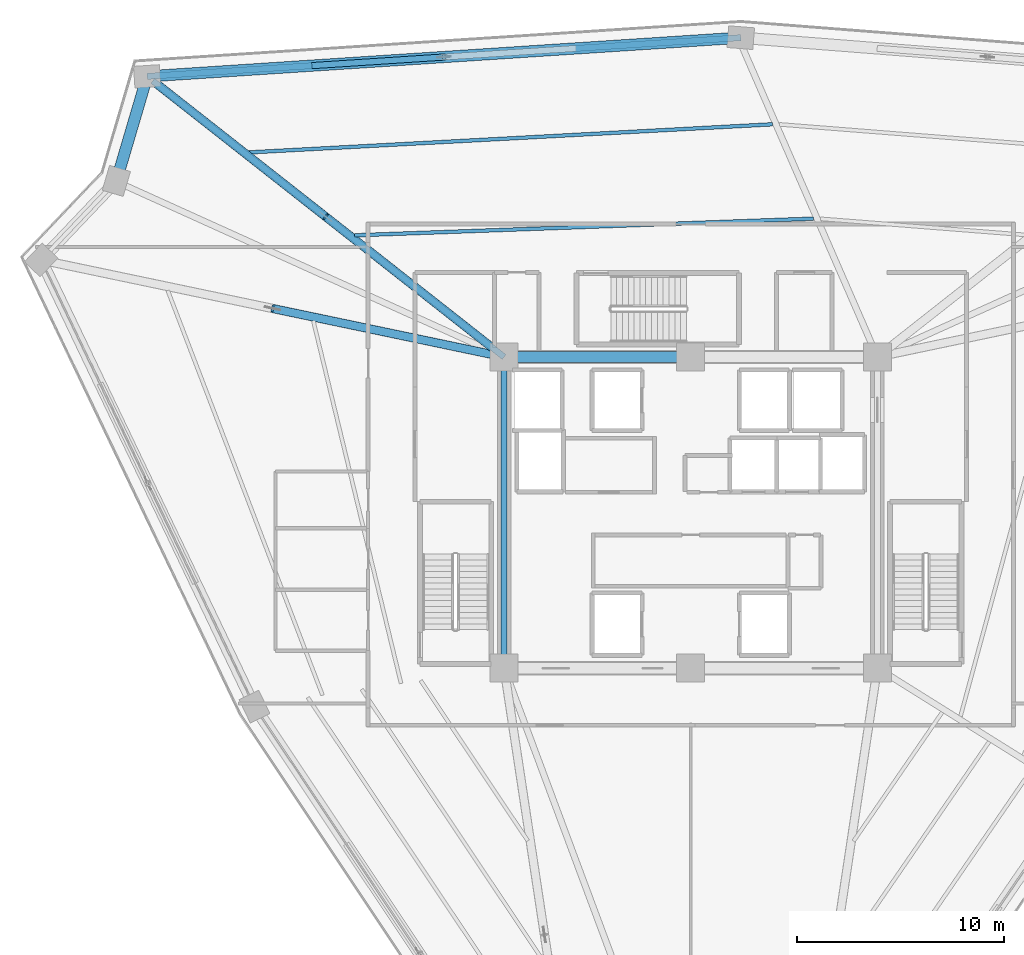
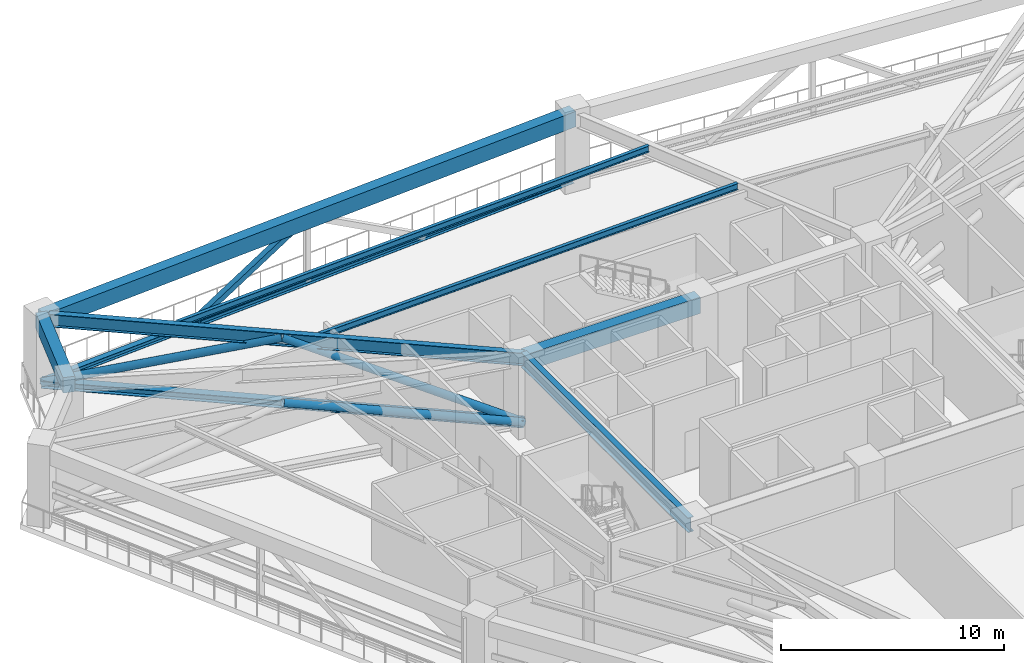
# One storey, part 6 of 22: 7 beams, 6 members.
"""IFC4 building model written with IfcOpenShell, lengths in metres."""

from ifc_helpers import new_model, si_unit, direction, frame, origin, origin_2d, place, context, subcontext, project, spatial, rectangle, hollow_rectangle, hollow_circle, i_section, extrude, source, transform, mapped, material, material_profile, profile_set, type_object, element, save


model = new_model("IFC4")

# Units and contexts
model_context = context("Model", 3, precision=1e-05, world=origin(), true_north=direction((0.0, 1.0)))
body_context = subcontext(model_context, "Body", "Model", "MODEL_VIEW")
ifc_project = project(units=[si_unit("LENGTHUNIT", "METRE"), si_unit("AREAUNIT", "SQUARE_METRE"), si_unit("VOLUMEUNIT", "CUBIC_METRE"), si_unit("PLANEANGLEUNIT", "RADIAN"), si_unit("MASSUNIT", "GRAM", prefix="KILO")], contexts=[model_context])

# Site, building, storey
site_placement = place(None, origin())
site = spatial("IfcSite", under=ifc_project, at=site_placement, CompositionType="ELEMENT")
building_placement = place(site_placement, origin())
building = spatial("IfcBuilding", under=site, at=building_placement, Name="Liaohun Quay Tower", CompositionType="ELEMENT")
storey_placement = place(building_placement, frame((0.0, 0.0, 277.5)))
storey = spatial("IfcBuildingStorey", under=building, at=storey_placement, Name="L72", CompositionType="ELEMENT", Elevation=277.5)

# Beams
ifc_material_1 = material(Name="Steel Q355D", Category="steel")
ifc_material_profile_1 = material_profile(ifc_material_1, i_section(OverallWidth=0.300048828125, OverallDepth=0.800048828125, WebThickness=0.013916015625, FlangeThickness=0.02587890625, at=origin_2d()), Name="HN800x300x14x26")
ifc_profile_set_1 = profile_set([ifc_material_profile_1], Name="Steel Q355D")
beam_type_1 = type_object("IfcBeamType", Name="BM-RAD-M1", PredefinedType="BEAM", material=ifc_profile_set_1)
shared_shape_1 = source(origin(), body_context, "Body", "SweptSolid", [
    extrude(i_section(OverallWidth=0.300048828125, OverallDepth=0.800048828125, WebThickness=0.013916015625, FlangeThickness=0.02587890625, at=origin_2d()), origin(), (0.0, 0.0, 1.0), 15.0),
])
beam_1_placement = place(storey_placement, frame((51.0, 61.5, 3.820068359375), z_axis=(0.0, -1.0, 0.0), x_axis=(1.0, 0.0, 0.0)))
element("IfcBeam", 1, at=beam_1_placement, inside=storey, type_object=beam_type_1, Name="L72 Core Coupling/Ring Beam CC6-CC1", PredefinedType="BEAM", context=body_context, shape_type="MappedRepresentation", body=[
    mapped(shared_shape_1, transform((0.0, 0.0, 0.0), x_axis=(1.0, 0.0, 0.0), y_axis=(0.0, 1.0, 0.0), z_axis=(0.0, 0.0, 1.0), scale=1.0)),
])
ifc_material_2 = material(Name="Concrete C55", Category="concrete")
ifc_material_profile_2 = material_profile(ifc_material_2, rectangle(XDim=0.550048828125, YDim=0.89990234375, at=origin_2d()), Name="RC550x900")
ifc_profile_set_2 = profile_set([ifc_material_profile_2], Name="Concrete C55")
beam_type_2 = type_object("IfcBeamType", Name="BM-CPL-2", PredefinedType="LINTEL", material=ifc_profile_set_2)
shared_shape_2 = source(origin(), body_context, "Body", "SweptSolid", [
    extrude(rectangle(XDim=0.550048828125, YDim=0.89990234375, at=origin_2d()), origin(), (0.0, 0.0, 1.0), 9.0),
])
beam_2_placement = place(storey_placement, frame((60.0, 61.5, 3.77001953125), z_axis=(-1.0, 0.0, 0.0), x_axis=(0.0, -1.0, 0.0)))
element("IfcBeam", 2, at=beam_2_placement, inside=storey, type_object=beam_type_2, Name="L72 Core Coupling/Ring Beam CC5-CC6", PredefinedType="LINTEL", context=body_context, shape_type="MappedRepresentation", body=[
    mapped(shared_shape_2, transform((0.0, 0.0, 0.0), x_axis=(1.0, 0.0, 0.0), y_axis=(0.0, 1.0, 0.0), z_axis=(0.0, 0.0, 1.0), scale=1.0)),
])
ifc_material_3 = material(Name="Precast concrete C50", Category="concrete")
ifc_material_profile_3 = material_profile(ifc_material_3, rectangle(XDim=0.550048828125, YDim=0.85009765625, at=origin_2d()), Name="RC550x850")
ifc_profile_set_3 = profile_set([ifc_material_profile_3], Name="Precast concrete C50")
beam_type_3 = type_object("IfcBeamType", Name="BM-SPD-Z3", PredefinedType="SPANDREL", material=ifc_profile_set_3)
shared_shape_3 = source(origin(), body_context, "Body", "SweptSolid", [
    extrude(rectangle(XDim=0.550048828125, YDim=0.85009765625, at=origin_2d()), origin(), (0.0, 0.0, 1.0), 5.254638671875),
])
beam_3_placement = place(storey_placement, frame((32.302001953125, 69.991943359375, 3.794921875), z_axis=(0.282817770943, 0.959173659167, 0.0), x_axis=(-0.959173659167, 0.282817770943, 0.0)))
element("IfcBeam", 3, at=beam_3_placement, inside=storey, type_object=beam_type_3, Name="L72 Precast Spandrel Beam PC04-PC05", PredefinedType="SPANDREL", context=body_context, shape_type="MappedRepresentation", body=[
    mapped(shared_shape_3, transform((0.0, 0.0, 0.0), x_axis=(1.0, 0.0, 0.0), y_axis=(0.0, 1.0, 0.0), z_axis=(0.0, 0.0, 1.0), scale=1.0)),
])
shared_shape_4 = source(origin(), body_context, "Body", "SweptSolid", [
    extrude(rectangle(XDim=0.550048828125, YDim=0.85009765625, at=origin_2d()), origin(), (0.0, 0.0, 1.0), 28.684814453125),
])
beam_4_placement = place(storey_placement, frame((33.7880859375, 75.031982421875, 3.794921875), z_axis=(0.997879745479, 0.065084664577, 0.0), x_axis=(-0.065084664577, 0.997879745479, 0.0)))
element("IfcBeam", 4, at=beam_4_placement, inside=storey, type_object=beam_type_3, Name="L72 Precast Spandrel Beam PC05-PC06", PredefinedType="SPANDREL", context=body_context, shape_type="MappedRepresentation", body=[
    mapped(shared_shape_4, transform((0.0, 0.0, 0.0), x_axis=(1.0, 0.0, 0.0), y_axis=(0.0, 1.0, 0.0), z_axis=(0.0, 0.0, 1.0), scale=1.0)),
])
ifc_material_profile_4 = material_profile(ifc_material_1, i_section(OverallWidth=0.300048828125, OverallDepth=0.699951171875, WebThickness=0.012939453125, FlangeThickness=0.02392578125, at=origin_2d()), Name="HN700x300x13x24")
ifc_profile_set_4 = profile_set([ifc_material_profile_4], Name="Steel Q355D")
beam_type_4 = type_object("IfcBeamType", Name="BM-RAD-U1", PredefinedType="BEAM", material=ifc_profile_set_4)
shared_shape_5 = source(origin(), body_context, "Body", "SweptSolid", [
    extrude(i_section(OverallWidth=0.300048828125, OverallDepth=0.699951171875, WebThickness=0.012939453125, FlangeThickness=0.02392578125, at=origin_2d()), origin(), (0.0, 0.0, 1.0), 21.5498046875),
])
beam_5_placement = place(storey_placement, frame((51.0, 61.5, 3.8701171875), z_axis=(-0.78627941776, 0.617871084618, 0.0), x_axis=(-0.617871084618, -0.78627941776, 0.0)))
element("IfcBeam", 5, at=beam_5_placement, inside=storey, type_object=beam_type_4, Name="L72 Radial Primary Girder CC6-PC05", PredefinedType="BEAM", context=body_context, shape_type="MappedRepresentation", body=[
    mapped(shared_shape_5, transform((0.0, 0.0, 0.0), x_axis=(1.0, 0.0, 0.0), y_axis=(0.0, 1.0, 0.0), z_axis=(0.0, 0.0, 1.0), scale=1.0)),
])
ifc_material_profile_5 = material_profile(ifc_material_1, i_section(OverallWidth=0.175048828125, OverallDepth=0.35009765625, WebThickness=0.007080078125, FlangeThickness=0.010986328125, at=origin_2d()), Name="HN350x175x7x11")
ifc_profile_set_5 = profile_set([ifc_material_profile_5], Name="Steel Q355D")
beam_type_5 = type_object("IfcBeamType", Name="BM-SEC-J3", PredefinedType="JOIST", material=ifc_profile_set_5)
shared_shape_6 = source(origin(), body_context, "Body", "SweptSolid", [
    extrude(i_section(OverallWidth=0.175048828125, OverallDepth=0.35009765625, WebThickness=0.007080078125, FlangeThickness=0.010986328125, at=origin_2d()), origin(), (0.0, 0.0, 1.0), 22.16650390625),
])
beam_6_placement = place(storey_placement, frame((43.777099609375, 67.366943359375, 4.044921875), z_axis=(0.999340065067, 0.036324018941, 0.0), x_axis=(-0.036324018941, 0.999340065067, 0.0)))
element("IfcBeam", 6, at=beam_6_placement, inside=storey, type_object=beam_type_5, Name="L72 Wing Secondary Floor Joist SJ-06", PredefinedType="JOIST", context=body_context, shape_type="MappedRepresentation", body=[
    mapped(shared_shape_6, transform((0.0, 0.0, 0.0), x_axis=(1.0, 0.0, 0.0), y_axis=(0.0, 1.0, 0.0), z_axis=(0.0, 0.0, 1.0), scale=1.0)),
])
shared_shape_7 = source(origin(), body_context, "Body", "SweptSolid", [
    extrude(i_section(OverallWidth=0.175048828125, OverallDepth=0.35009765625, WebThickness=0.007080078125, FlangeThickness=0.010986328125, at=origin_2d()), origin(), (0.0, 0.0, 1.0), 25.29443359375),
])
beam_7_placement = place(storey_placement, frame((38.68896484375, 71.364990234375, 4.044921875), z_axis=(0.998560046416, 0.053645444368, 0.0), x_axis=(-0.053645444368, 0.998560046416, 0.0)))
element("IfcBeam", 7, at=beam_7_placement, inside=storey, type_object=beam_type_5, Name="L72 Wing Secondary Floor Joist SJ-07", PredefinedType="JOIST", context=body_context, shape_type="MappedRepresentation", body=[
    mapped(shared_shape_7, transform((0.0, 0.0, 0.0), x_axis=(1.0, 0.0, 0.0), y_axis=(0.0, 1.0, 0.0), z_axis=(0.0, 0.0, 1.0), scale=1.0)),
])

# Members
ifc_material_4 = material(Name="Steel Q420D", Category="steel")
ifc_material_profile_6 = material_profile(ifc_material_4, hollow_circle(Radius=0.202880859375, WallThickness=0.01611328125, at=origin_2d()), Name="CHS406x16")
ifc_profile_set_6 = profile_set([ifc_material_profile_6], Name="Steel Q420D")
member_type_1 = type_object("IfcMemberType", Name="MEM-OUT-DG2", PredefinedType="BRACE", material=ifc_profile_set_6)
shared_shape_8 = source(origin(), body_context, "Body", "SweptSolid", [
    extrude(hollow_circle(Radius=0.202880859375, WallThickness=0.01611328125, at=origin_2d()), origin(), (0.0, 0.0, 1.0), 11.951416015625),
])
member_1_placement = place(storey_placement, frame((51.0, 61.5, 0.35009765625), z_axis=(-0.934045967865, 0.195801561587, 0.298696967503), x_axis=(-0.205167884056, -0.978726795052, 0.0)))
element("IfcMember", 8, at=member_1_placement, inside=storey, type_object=member_type_1, Name="L72 Outrigger Diagonal OD-02A", PredefinedType="BRACE", context=body_context, shape_type="MappedRepresentation", body=[
    mapped(shared_shape_8, transform((0.0, 0.0, 0.0), x_axis=(1.0, 0.0, 0.0), y_axis=(0.0, 1.0, 0.0), z_axis=(0.0, 0.0, 1.0), scale=1.0)),
])
ifc_material_profile_7 = material_profile(ifc_material_4, i_section(OverallWidth=0.407958984375, OverallDepth=0.39990234375, WebThickness=0.02099609375, FlangeThickness=0.02099609375, at=origin_2d()), Name="HW400x408x21x21")
ifc_profile_set_7 = profile_set([ifc_material_profile_7], Name="Steel Q420D")
member_type_2 = type_object("IfcMemberType", Name="MEM-OUT-CH2", PredefinedType="CHORD", material=ifc_profile_set_7)
shared_shape_9 = source(origin(), body_context, "Body", "SweptSolid", [
    extrude(i_section(OverallWidth=0.407958984375, OverallDepth=0.39990234375, WebThickness=0.02099609375, FlangeThickness=0.02099609375, at=origin_2d()), origin(), (0.0, 0.0, 1.0), 21.894287109375),
])
member_2_placement = place(storey_placement, frame((51.0, 61.5, 0.35009765625), z_axis=(-0.786133347588, 0.618056922791, 0.0), x_axis=(-0.618056922791, -0.786133347588, 0.0)))
element("IfcMember", 9, at=member_2_placement, inside=storey, type_object=member_type_2, Name="L72 Outrigger Bottom Chord OC-03", PredefinedType="CHORD", context=body_context, shape_type="MappedRepresentation", body=[
    mapped(shared_shape_9, transform((0.0, 0.0, 0.0), x_axis=(1.0, 0.0, 0.0), y_axis=(0.0, 1.0, 0.0), z_axis=(0.0, 0.0, 1.0), scale=1.0)),
])
shared_shape_10 = source(origin(), body_context, "Body", "SweptSolid", [
    extrude(hollow_circle(Radius=0.202880859375, WallThickness=0.01611328125, at=origin_2d()), origin(), (0.0, 0.0, 1.0), 11.5146484375),
])
member_3_placement = place(storey_placement, frame((51.0, 61.5, 0.35009765625), z_axis=(-0.747394046945, 0.587610740909, 0.310025411473), x_axis=(-0.618063813994, -0.786127929685, 0.0)))
element("IfcMember", 10, at=member_3_placement, inside=storey, type_object=member_type_1, Name="L72 Outrigger Diagonal OD-03A", PredefinedType="BRACE", context=body_context, shape_type="MappedRepresentation", body=[
    mapped(shared_shape_10, transform((0.0, 0.0, 0.0), x_axis=(1.0, 0.0, 0.0), y_axis=(0.0, 1.0, 0.0), z_axis=(0.0, 0.0, 1.0), scale=1.0)),
])
shared_shape_11 = source(origin(), body_context, "Body", "SweptSolid", [
    extrude(hollow_circle(Radius=0.202880859375, WallThickness=0.01611328125, at=origin_2d()), origin(), (0.0, 0.0, 1.0), 11.514404296875),
])
member_4_placement = place(storey_placement, frame((42.39404296875, 68.26611328125, 3.919921875), z_axis=(-0.747403358671, 0.587596858974, -0.310029274056), x_axis=(-0.618050031445, -0.786138765505, 0.0)))
element("IfcMember", 11, at=member_4_placement, inside=storey, type_object=member_type_1, Name="L72 Outrigger Diagonal OD-03B", PredefinedType="BRACE", context=body_context, shape_type="MappedRepresentation", body=[
    mapped(shared_shape_11, transform((0.0, 0.0, 0.0), x_axis=(1.0, 0.0, 0.0), y_axis=(0.0, 1.0, 0.0), z_axis=(0.0, 0.0, 1.0), scale=1.0)),
])
ifc_material_profile_8 = material_profile(ifc_material_1, i_section(OverallWidth=0.300048828125, OverallDepth=0.300048828125, WebThickness=0.010009765625, FlangeThickness=0.014892578125, at=origin_2d()), Name="HW300x300x10x15")
ifc_profile_set_8 = profile_set([ifc_material_profile_8], Name="Steel Q355D")
member_type_3 = type_object("IfcMemberType", Name="MEM-BLT-CHD", PredefinedType="CHORD", material=ifc_profile_set_8)
shared_shape_12 = source(origin(), body_context, "Body", "SweptSolid", [
    extrude(i_section(OverallWidth=0.300048828125, OverallDepth=0.300048828125, WebThickness=0.010009765625, FlangeThickness=0.014892578125, at=origin_2d()), origin(), (0.0, 0.0, 1.0), 28.684814453125),
])
member_5_placement = place(storey_placement, frame((33.7880859375, 75.031982421875, 0.35009765625), z_axis=(0.997879745479, 0.065084664577, 0.0), x_axis=(-0.065084664577, 0.997879745479, 0.0)))
element("IfcMember", 12, at=member_5_placement, inside=storey, type_object=member_type_3, Name="L72 Belt Truss Bottom Chord BC-1-03", PredefinedType="CHORD", context=body_context, shape_type="MappedRepresentation", body=[
    mapped(shared_shape_12, transform((0.0, 0.0, 0.0), x_axis=(1.0, 0.0, 0.0), y_axis=(0.0, 1.0, 0.0), z_axis=(0.0, 0.0, 1.0), scale=1.0)),
])
ifc_material_profile_9 = material_profile(ifc_material_1, hollow_rectangle(XDim=0.300048828125, YDim=0.300048828125, WallThickness=0.013916015625, at=origin_2d()), Name="SHS300x300x14")
ifc_profile_set_9 = profile_set([ifc_material_profile_9], Name="Steel Q355D")
member_type_4 = type_object("IfcMemberType", Name="MEM-BLT-DG3", PredefinedType="BRACE", material=ifc_profile_set_9)
shared_shape_13 = source(origin(), body_context, "Body", "SweptSolid", [
    extrude(hollow_rectangle(XDim=0.300048828125, YDim=0.300048828125, WallThickness=0.013916015625, at=origin_2d()), origin(), (0.0, 0.0, 1.0), 7.250244140625),
])
member_6_placement = place(storey_placement, frame((41.802978515625, 75.554931640625, 0.35009765625), z_axis=(0.868542689481, 0.056571617041, 0.492375109743), x_axis=(-0.064996225969, 0.99788550977, 0.0)))
element("IfcMember", 13, at=member_6_placement, inside=storey, type_object=member_type_4, Name="L72 Belt Truss Diagonal BD-03A", PredefinedType="BRACE", context=body_context, shape_type="MappedRepresentation", body=[
    mapped(shared_shape_13, transform((0.0, 0.0, 0.0), x_axis=(1.0, 0.0, 0.0), y_axis=(0.0, 1.0, 0.0), z_axis=(0.0, 0.0, 1.0), scale=1.0)),
])

save(model, "model.ifc")
